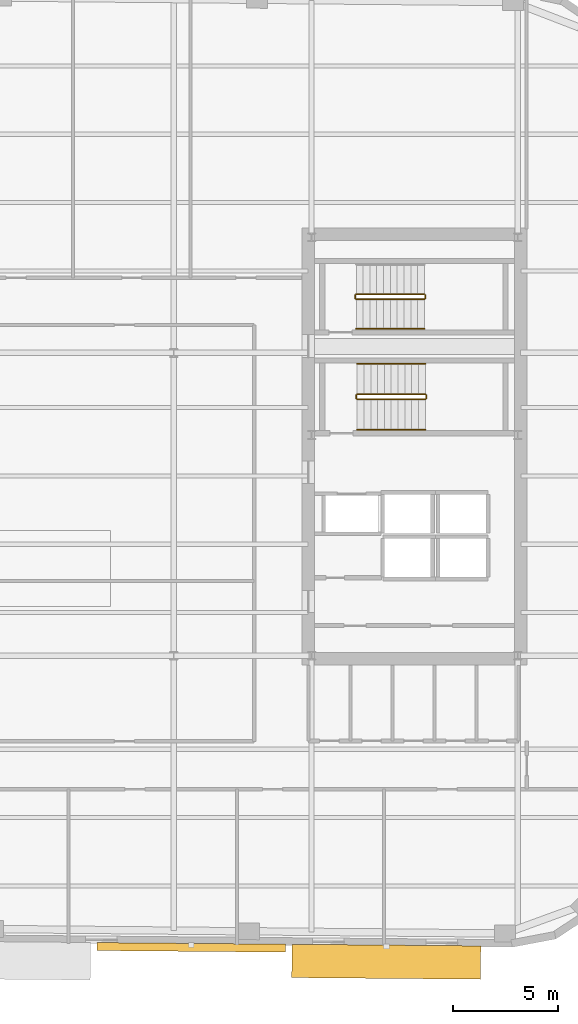
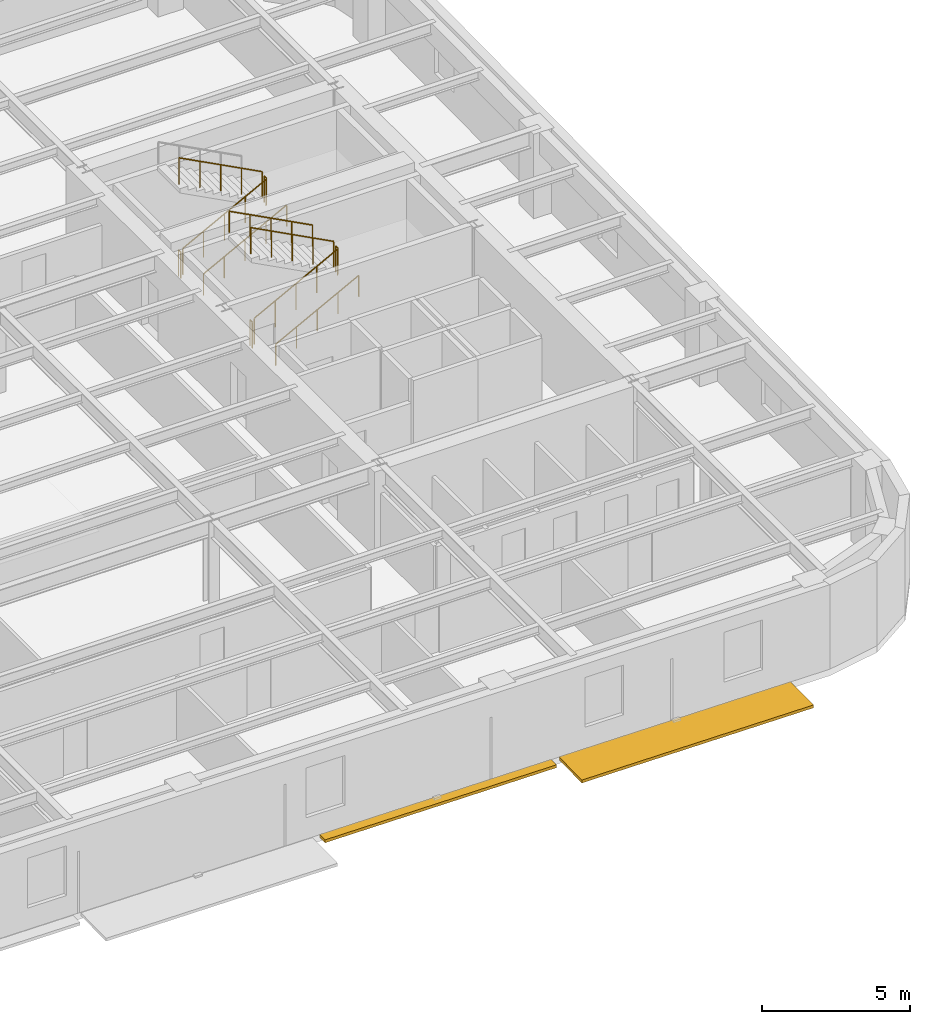
# One storey, part 10 of 11: 11 railings, 2 shading devices.
"""IFC4 building model written with IfcOpenShell, lengths in metres."""

from ifc_helpers import new_model, si_unit, direction, frame, origin, origin_2d, place, context, subcontext, project, spatial, rectangle, circle, extrude, material, type_object, element, save


model = new_model("IFC4")

# Units and contexts
model_context = context("Model", 3, precision=1e-05, world=origin(), true_north=direction((0.0, 1.0)))
body_context = subcontext(model_context, "Body", "Model", "MODEL_VIEW")
ifc_project = project(units=[si_unit("LENGTHUNIT", "METRE"), si_unit("AREAUNIT", "SQUARE_METRE"), si_unit("VOLUMEUNIT", "CUBIC_METRE"), si_unit("PLANEANGLEUNIT", "RADIAN"), si_unit("MASSUNIT", "GRAM", prefix="KILO")], contexts=[model_context])

# Site, building, storey
site_placement = place(None, origin())
site = spatial("IfcSite", under=ifc_project, at=site_placement, CompositionType="ELEMENT")
building_placement = place(site_placement, origin())
building = spatial("IfcBuilding", under=site, at=building_placement, Name="Kolvaren Arena Tower", CompositionType="ELEMENT")
storey_placement = place(building_placement, frame((0.0, 0.0, 162.199951171875)))
storey = spatial("IfcBuildingStorey", under=building, at=storey_placement, Name="L38", CompositionType="ELEMENT", Elevation=162.199951171875)

# Railings
ifc_material_1 = material(Name="Painted galvanized steel", Category="steel")
railing_type_1 = type_object("IfcRailingType", Name="GUARD-ST-110", PredefinedType="GUARDRAIL", material=ifc_material_1)
railing_1_placement = place(storey_placement, frame((52.719970703125, 31.639892578125, 0.17041015625)))
element("IfcRailing", 1, at=railing_1_placement, inside=storey, type_object=railing_type_1, Name="L38 ST-E1 stair guard 1", PredefinedType="GUARDRAIL", context=body_context, shape_type="SweptSolid", body=[
    extrude(circle(Radius=0.02392578125, at=origin_2d()), frame((0.0, 0.0, 1.076171875), z_axis=(0.884993431791, 0.0, 0.465603506952), x_axis=(0.0, 1.0, 0.0)), (0.0, 0.0, 1.0), 3.6611328125),
    extrude(circle(Radius=0.02099609375, at=origin_2d()), origin(), (0.0, 0.0, 1.0), 1.052001953125),
    extrude(circle(Radius=0.02099609375, at=origin_2d()), frame((0.81005859375, 0.0, 0.42626953125)), (0.0, 0.0, 1.0), 1.052001953125),
    extrude(circle(Radius=0.02099609375, at=origin_2d()), frame((1.6201171875, 0.0, 0.852294921875)), (0.0, 0.0, 1.0), 1.052001953125),
    extrude(circle(Radius=0.02099609375, at=origin_2d()), frame((2.429931640625, 0.0, 1.2783203125)), (0.0, 0.0, 1.0), 1.052001953125),
    extrude(circle(Radius=0.02099609375, at=origin_2d()), frame((3.239990234375, 0.0, 1.70458984375)), (0.0, 0.0, 1.0), 1.052001953125),
])
railing_2_placement = place(storey_placement, frame((56.010009765625, 31.68994140625, 1.875)))
element("IfcRailing", 2, at=railing_2_placement, inside=storey, type_object=railing_type_1, Name="L38 ST-E1 stair guard 2", PredefinedType="GUARDRAIL", context=body_context, shape_type="SweptSolid", body=[
    extrude(circle(Radius=0.02392578125, at=origin_2d()), frame((0.0, 0.0, 1.076171875), z_axis=(0.0, 1.0, 0.0), x_axis=(-1.0, 0.0, 0.0)), (0.0, 0.0, 1.0), 0.150146484375),
    extrude(circle(Radius=0.02099609375, at=origin_2d()), origin(), (0.0, 0.0, 1.0), 1.052001953125),
    extrude(circle(Radius=0.02099609375, at=origin_2d()), frame((0.0, 0.150146484375, 0.0)), (0.0, 0.0, 1.0), 1.052001953125),
])
railing_3_placement = place(storey_placement, frame((55.9599609375, 31.889892578125, 2.04541015625)))
element("IfcRailing", 3, at=railing_3_placement, inside=storey, type_object=railing_type_1, Name="L38 ST-E1 stair guard 3", PredefinedType="GUARDRAIL", context=body_context, shape_type="SweptSolid", body=[
    extrude(circle(Radius=0.02392578125, at=origin_2d()), frame((0.0, 0.0, 1.076171875), z_axis=(-0.884993431791, 0.0, 0.465603506952), x_axis=(0.0, -1.0, 0.0)), (0.0, 0.0, 1.0), 3.6611328125),
    extrude(circle(Radius=0.02099609375, at=origin_2d()), origin(), (0.0, 0.0, 1.0), 1.052001953125),
    extrude(circle(Radius=0.02099609375, at=origin_2d()), frame((-0.81005859375, 0.0, 0.42626953125)), (0.0, 0.0, 1.0), 1.052001953125),
    extrude(circle(Radius=0.02099609375, at=origin_2d()), frame((-1.6201171875, 0.0, 0.852294921875)), (0.0, 0.0, 1.0), 1.052001953125),
    extrude(circle(Radius=0.02099609375, at=origin_2d()), frame((-2.429931640625, 0.0, 1.2783203125)), (0.0, 0.0, 1.0), 1.052001953125),
    extrude(circle(Radius=0.02099609375, at=origin_2d()), frame((-3.239990234375, 0.0, 1.70458984375)), (0.0, 0.0, 1.0), 1.052001953125),
])
railing_4_placement = place(storey_placement, frame((52.669921875, 31.68994140625, 0.0)))
element("IfcRailing", 4, at=railing_4_placement, inside=storey, type_object=railing_type_1, Name="L38 ST-E1 stair guard 4", PredefinedType="GUARDRAIL", context=body_context, shape_type="SweptSolid", body=[
    extrude(circle(Radius=0.02392578125, at=origin_2d()), frame((0.0, 0.0, 1.076171875), z_axis=(0.0, 1.0, 0.0), x_axis=(-1.0, 0.0, 0.0)), (0.0, 0.0, 1.0), 0.150146484375),
    extrude(circle(Radius=0.02099609375, at=origin_2d()), origin(), (0.0, 0.0, 1.0), 1.052001953125),
    extrude(circle(Radius=0.02099609375, at=origin_2d()), frame((0.0, 0.150146484375, 0.0)), (0.0, 0.0, 1.0), 1.052001953125),
])
railing_5_placement = place(storey_placement, frame((52.679931640625, 36.39990234375, 0.17041015625)))
element("IfcRailing", 5, at=railing_5_placement, inside=storey, type_object=railing_type_1, Name="L38 ST-E2 stair guard 1", PredefinedType="GUARDRAIL", context=body_context, shape_type="SweptSolid", body=[
    extrude(circle(Radius=0.02392578125, at=origin_2d()), frame((0.0, 0.0, 1.076171875), z_axis=(0.884993431791, 0.0, 0.465603506952), x_axis=(0.0, 1.0, 0.0)), (0.0, 0.0, 1.0), 3.6611328125),
    extrude(circle(Radius=0.02099609375, at=origin_2d()), origin(), (0.0, 0.0, 1.0), 1.052001953125),
    extrude(circle(Radius=0.02099609375, at=origin_2d()), frame((0.81005859375, 0.0, 0.42626953125)), (0.0, 0.0, 1.0), 1.052001953125),
    extrude(circle(Radius=0.02099609375, at=origin_2d()), frame((1.6201171875, 0.0, 0.852294921875)), (0.0, 0.0, 1.0), 1.052001953125),
    extrude(circle(Radius=0.02099609375, at=origin_2d()), frame((2.429931640625, 0.0, 1.2783203125)), (0.0, 0.0, 1.0), 1.052001953125),
    extrude(circle(Radius=0.02099609375, at=origin_2d()), frame((3.239990234375, 0.0, 1.70458984375)), (0.0, 0.0, 1.0), 1.052001953125),
])
railing_6_placement = place(storey_placement, frame((55.969970703125, 36.449951171875, 1.875)))
element("IfcRailing", 6, at=railing_6_placement, inside=storey, type_object=railing_type_1, Name="L38 ST-E2 stair guard 2", PredefinedType="GUARDRAIL", context=body_context, shape_type="SweptSolid", body=[
    extrude(circle(Radius=0.02392578125, at=origin_2d()), frame((0.0, 0.0, 1.076171875), z_axis=(0.0, 1.0, 0.0), x_axis=(-1.0, 0.0, 0.0)), (0.0, 0.0, 1.0), 0.150146484375),
    extrude(circle(Radius=0.02099609375, at=origin_2d()), origin(), (0.0, 0.0, 1.0), 1.052001953125),
    extrude(circle(Radius=0.02099609375, at=origin_2d()), frame((0.0, 0.150146484375, 0.0)), (0.0, 0.0, 1.0), 1.052001953125),
])
railing_7_placement = place(storey_placement, frame((55.919921875, 36.64990234375, 2.04541015625)))
element("IfcRailing", 7, at=railing_7_placement, inside=storey, type_object=railing_type_1, Name="L38 ST-E2 stair guard 3", PredefinedType="GUARDRAIL", context=body_context, shape_type="SweptSolid", body=[
    extrude(circle(Radius=0.02392578125, at=origin_2d()), frame((0.0, 0.0, 1.076171875), z_axis=(-0.884993431791, 0.0, 0.465603506952), x_axis=(0.0, -1.0, 0.0)), (0.0, 0.0, 1.0), 3.6611328125),
    extrude(circle(Radius=0.02099609375, at=origin_2d()), origin(), (0.0, 0.0, 1.0), 1.052001953125),
    extrude(circle(Radius=0.02099609375, at=origin_2d()), frame((-0.81005859375, 0.0, 0.42626953125)), (0.0, 0.0, 1.0), 1.052001953125),
    extrude(circle(Radius=0.02099609375, at=origin_2d()), frame((-1.6201171875, 0.0, 0.852294921875)), (0.0, 0.0, 1.0), 1.052001953125),
    extrude(circle(Radius=0.02099609375, at=origin_2d()), frame((-2.429931640625, 0.0, 1.2783203125)), (0.0, 0.0, 1.0), 1.052001953125),
    extrude(circle(Radius=0.02099609375, at=origin_2d()), frame((-3.239990234375, 0.0, 1.70458984375)), (0.0, 0.0, 1.0), 1.052001953125),
])
railing_8_placement = place(storey_placement, frame((52.6298828125, 36.449951171875, 0.0)))
element("IfcRailing", 8, at=railing_8_placement, inside=storey, type_object=railing_type_1, Name="L38 ST-E2 stair guard 4", PredefinedType="GUARDRAIL", context=body_context, shape_type="SweptSolid", body=[
    extrude(circle(Radius=0.02392578125, at=origin_2d()), frame((0.0, 0.0, 1.076171875), z_axis=(0.0, 1.0, 0.0), x_axis=(-1.0, 0.0, 0.0)), (0.0, 0.0, 1.0), 0.150146484375),
    extrude(circle(Radius=0.02099609375, at=origin_2d()), origin(), (0.0, 0.0, 1.0), 1.052001953125),
    extrude(circle(Radius=0.02099609375, at=origin_2d()), frame((0.0, 0.150146484375, 0.0)), (0.0, 0.0, 1.0), 1.052001953125),
])
ifc_material_2 = material(Name="Brushed stainless steel handrail", Category="steel")
railing_type_2 = type_object("IfcRailingType", Name="HRAIL-900", PredefinedType="HANDRAIL", material=ifc_material_2)
railing_9_placement = place(storey_placement, frame((52.719970703125, 30.199951171875, 0.17041015625)))
element("IfcRailing", 9, at=railing_9_placement, inside=storey, type_object=railing_type_2, Name="L38 ST-E1 stair handrail 1", PredefinedType="HANDRAIL", context=body_context, shape_type="SweptSolid", body=[
    extrude(circle(Radius=0.02392578125, at=origin_2d()), frame((0.0, 0.0, 0.8759765625), z_axis=(0.884993431791, 0.0, 0.465603506952), x_axis=(0.0, 1.0, 0.0)), (0.0, 0.0, 1.0), 3.6611328125),
    extrude(circle(Radius=0.02099609375, at=origin_2d()), origin(), (0.0, 0.0, 1.0), 0.851806640625),
    extrude(circle(Radius=0.02099609375, at=origin_2d()), frame((0.81005859375, 0.0, 0.42626953125)), (0.0, 0.0, 1.0), 0.851806640625),
    extrude(circle(Radius=0.02099609375, at=origin_2d()), frame((1.6201171875, 0.0, 0.852294921875)), (0.0, 0.0, 1.0), 0.851806640625),
    extrude(circle(Radius=0.02099609375, at=origin_2d()), frame((2.429931640625, 0.0, 1.2783203125)), (0.0, 0.0, 1.0), 0.851806640625),
    extrude(circle(Radius=0.02099609375, at=origin_2d()), frame((3.239990234375, 0.0, 1.70458984375)), (0.0, 0.0, 1.0), 0.851806640625),
])
railing_10_placement = place(storey_placement, frame((55.9599609375, 33.330078125, 2.04541015625)))
element("IfcRailing", 10, at=railing_10_placement, inside=storey, type_object=railing_type_2, Name="L38 ST-E1 stair handrail 2", PredefinedType="HANDRAIL", context=body_context, shape_type="SweptSolid", body=[
    extrude(circle(Radius=0.02392578125, at=origin_2d()), frame((0.0, 0.0, 0.8759765625), z_axis=(-0.884993431791, 0.0, 0.465603506952), x_axis=(0.0, -1.0, 0.0)), (0.0, 0.0, 1.0), 3.6611328125),
    extrude(circle(Radius=0.02099609375, at=origin_2d()), origin(), (0.0, 0.0, 1.0), 0.851806640625),
    extrude(circle(Radius=0.02099609375, at=origin_2d()), frame((-0.81005859375, 0.0, 0.42626953125)), (0.0, 0.0, 1.0), 0.851806640625),
    extrude(circle(Radius=0.02099609375, at=origin_2d()), frame((-1.6201171875, 0.0, 0.852294921875)), (0.0, 0.0, 1.0), 0.851806640625),
    extrude(circle(Radius=0.02099609375, at=origin_2d()), frame((-2.429931640625, 0.0, 1.2783203125)), (0.0, 0.0, 1.0), 0.851806640625),
    extrude(circle(Radius=0.02099609375, at=origin_2d()), frame((-3.239990234375, 0.0, 1.70458984375)), (0.0, 0.0, 1.0), 0.851806640625),
])
railing_11_placement = place(storey_placement, frame((52.679931640625, 35.0, 0.17041015625)))
element("IfcRailing", 11, at=railing_11_placement, inside=storey, type_object=railing_type_2, Name="L38 ST-E2 stair handrail 1", PredefinedType="HANDRAIL", context=body_context, shape_type="SweptSolid", body=[
    extrude(circle(Radius=0.02392578125, at=origin_2d()), frame((0.0, 0.0, 0.8759765625), z_axis=(0.884993431791, 0.0, 0.465603506952), x_axis=(0.0, 1.0, 0.0)), (0.0, 0.0, 1.0), 3.6611328125),
    extrude(circle(Radius=0.02099609375, at=origin_2d()), origin(), (0.0, 0.0, 1.0), 0.851806640625),
    extrude(circle(Radius=0.02099609375, at=origin_2d()), frame((0.81005859375, 0.0, 0.42626953125)), (0.0, 0.0, 1.0), 0.851806640625),
    extrude(circle(Radius=0.02099609375, at=origin_2d()), frame((1.6201171875, 0.0, 0.852294921875)), (0.0, 0.0, 1.0), 0.851806640625),
    extrude(circle(Radius=0.02099609375, at=origin_2d()), frame((2.429931640625, 0.0, 1.2783203125)), (0.0, 0.0, 1.0), 0.851806640625),
    extrude(circle(Radius=0.02099609375, at=origin_2d()), frame((3.239990234375, 0.0, 1.70458984375)), (0.0, 0.0, 1.0), 0.851806640625),
])

# Shading devices
ifc_material_3 = material(Name="Architectural precast GFRC and anodised aluminium sunshade", Category="concrete")
shading_device_type_1 = type_object("IfcShadingDeviceType", Name="SHAD-SINE-A", PredefinedType="USERDEFINED", material=ifc_material_3)
shading_device_1_placement = place(storey_placement, frame((44.82958984375, 5.578857421875, -0.139892578125), z_axis=(0.0, 0.0, 1.0), x_axis=(-0.999961923064, 0.008726535498, 0.0)))
element("IfcShadingDevice", 12, at=shading_device_1_placement, inside=storey, type_object=shading_device_type_1, Name="Sinusoidal Slab-Edge Sunshade Louvre (L38)", ObjectType="LOUVRE", PredefinedType="USERDEFINED", context=body_context, shape_type="SweptSolid", body=[
    extrude(rectangle(XDim=8.97998046875, YDim=0.379638671875, at=origin_2d()), origin(), (0.0, 0.0, 1.0), 0.1201171875),
])
shading_device_type_2 = type_object("IfcShadingDeviceType", Name="SHAD-SINE-B", PredefinedType="JALOUSIE", material=ifc_material_3)
shading_device_2_placement = place(storey_placement, frame((54.103759765625, 4.894775390625, -0.139892578125), z_axis=(0.0, 0.0, 1.0), x_axis=(-0.999961923064, 0.008726535498, 0.0)))
element("IfcShadingDevice", 13, at=shading_device_2_placement, inside=storey, type_object=shading_device_type_2, Name="Sinusoidal Slab-Edge Sunshade Louvre (L38)", PredefinedType="JALOUSIE", context=body_context, shape_type="SweptSolid", body=[
    extrude(rectangle(XDim=8.97998046875, YDim=1.585693359375, at=origin_2d()), origin(), (0.0, 0.0, 1.0), 0.1201171875),
])

save(model, "model.ifc")
